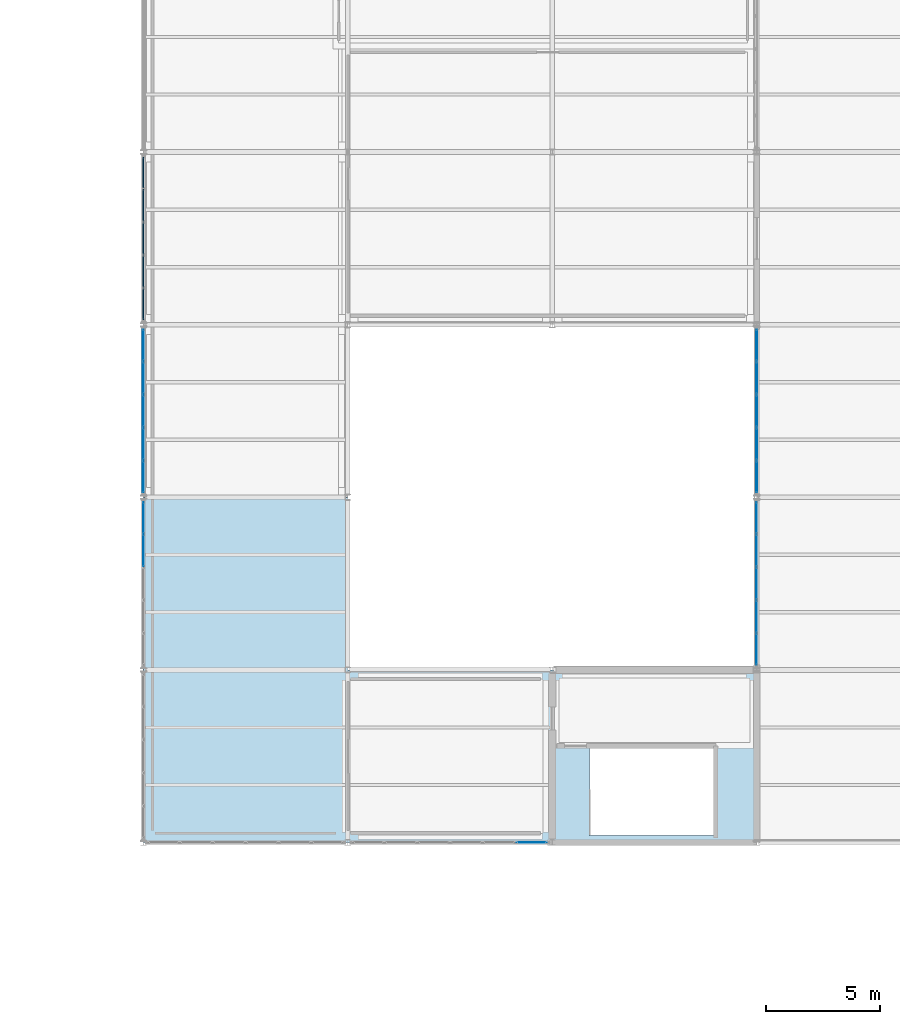
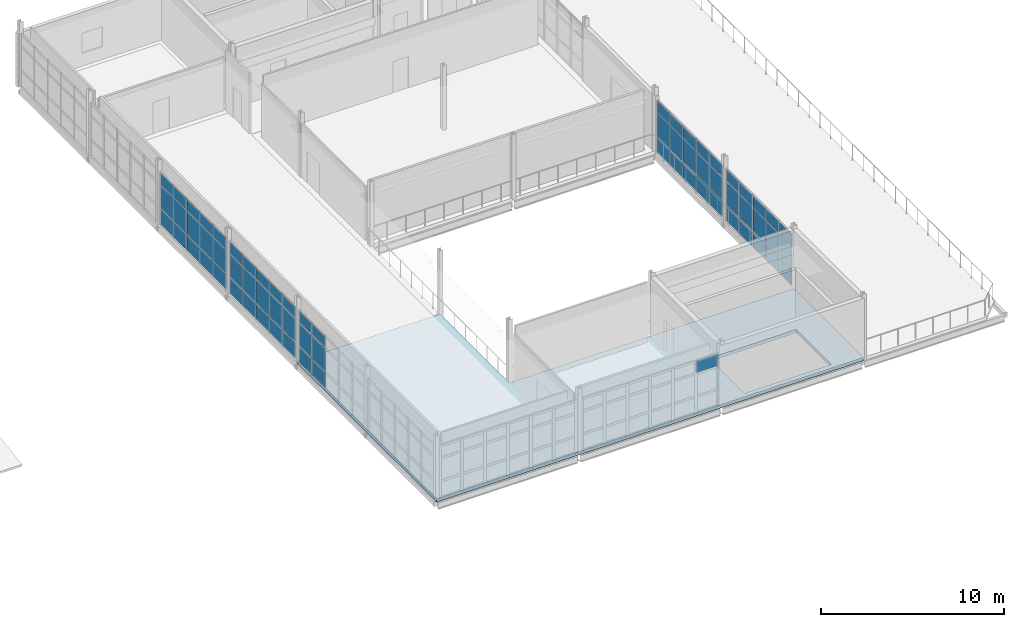
# One storey, part 35 of 48: 67 plates, 1 slab, 6 elements without a shape of their own.
"""IFC4 building model written with IfcOpenShell, lengths in metres."""

from ifc_helpers import new_model, si_unit, direction, frame, origin, origin_2d, place, context, subcontext, project, spatial, polyline, rectangle, outline, extrude, material, layer, layer_set, type_object, element, aggregate, save


model = new_model("IFC4")

# Units and contexts
model_context = context("Model", 3, precision=1e-05, world=origin(), true_north=direction((0.0, 1.0)))
body_context = subcontext(model_context, "Body", "Model", "MODEL_VIEW")
ifc_project = project(units=[si_unit("LENGTHUNIT", "METRE"), si_unit("AREAUNIT", "SQUARE_METRE"), si_unit("VOLUMEUNIT", "CUBIC_METRE"), si_unit("PLANEANGLEUNIT", "RADIAN"), si_unit("MASSUNIT", "GRAM", prefix="KILO")], contexts=[model_context])

# Site, building, storey
site_placement = place(None, origin())
site = spatial("IfcSite", under=ifc_project, at=site_placement, CompositionType="ELEMENT")
building_placement = place(site_placement, origin())
building = spatial("IfcBuilding", under=site, at=building_placement, Name="Caisbarro Railhouse Central Library", CompositionType="ELEMENT")
storey_placement = place(building_placement, frame((0.0, 0.0, 18.0)))
storey = spatial("IfcBuildingStorey", under=building, at=storey_placement, Name="L04", CompositionType="ELEMENT", Elevation=18.0)

# Curtain wall, plates
ifc_material_1 = material(Name="Anodised architectural aluminium", Category="aluminium")
curtain_wall_type_1 = type_object("IfcCurtainWallType", Name="CW-CW02", PredefinedType="NOTDEFINED", material=ifc_material_1)
curtain_wall_1_placement = place(storey_placement, origin())
curtain_wall_1 = element("IfcCurtainWall", 1, at=curtain_wall_1_placement, inside=storey, type_object=curtain_wall_type_1, Name="CW02 curtain wall L04 #156", PredefinedType="NOTDEFINED")
ifc_material_2 = material(Name="Double low-e laminated solar-control glass", Category="glass")
ifc_layer_1 = layer(ifc_material_2, 0.028076171875, Name="Double low-e laminated solar-control glass")
ifc_layer_set_1 = layer_set([ifc_layer_1], Name="Double low-e laminated solar-control glass")
plate_type_1 = type_object("IfcPlateType", Name="CWP-CP28", PredefinedType="CURTAIN_PANEL", material=ifc_layer_set_1)
plate_1_placement = place(storey_placement, frame((117.0, 81.256103515625, 0.0751953125), z_axis=(0.0, 0.0, 1.0), x_axis=(0.0, 1.0, 0.0)))
plate_1 = element("IfcPlate", 2, at=plate_1_placement, type_object=plate_type_1, Name="CW02 panel 4.1", PredefinedType="CURTAIN_PANEL", context=body_context, shape_type="SweptSolid", body=[
    extrude(rectangle(XDim=1.39111328125, YDim=0.028076171875, at=origin_2d()), origin(), (0.0, 0.0, 1.0), 1.007568359375),
])
plate_2_placement = place(storey_placement, frame((117.0, 81.256103515625, 1.15771484375), z_axis=(0.0, 0.0, 1.0), x_axis=(0.0, 1.0, 0.0)))
plate_2 = element("IfcPlate", 3, at=plate_2_placement, type_object=plate_type_1, Name="CW02 panel 4.2", PredefinedType="CURTAIN_PANEL", context=body_context, shape_type="SweptSolid", body=[
    extrude(rectangle(XDim=1.39111328125, YDim=0.028076171875, at=origin_2d()), origin(), (0.0, 0.0, 1.0), 1.514892578125),
])
plate_3_placement = place(storey_placement, frame((117.0, 81.256103515625, 2.74755859375), z_axis=(0.0, 0.0, 1.0), x_axis=(0.0, 1.0, 0.0)))
plate_3 = element("IfcPlate", 4, at=plate_3_placement, type_object=plate_type_1, Name="CW02 panel 4.3", PredefinedType="CURTAIN_PANEL", context=body_context, shape_type="SweptSolid", body=[
    extrude(rectangle(XDim=1.39111328125, YDim=0.028076171875, at=origin_2d()), origin(), (0.0, 0.0, 1.0), 0.737548828125),
])
plate_4_placement = place(storey_placement, frame((117.0, 82.69580078125, 0.0751953125), z_axis=(0.0, 0.0, 1.0), x_axis=(0.0, 1.0, 0.0)))
plate_4 = element("IfcPlate", 5, at=plate_4_placement, type_object=plate_type_1, Name="CW02 panel 5.1", PredefinedType="CURTAIN_PANEL", context=body_context, shape_type="SweptSolid", body=[
    extrude(rectangle(XDim=1.3583984375, YDim=0.028076171875, at=origin_2d()), origin(), (0.0, 0.0, 1.0), 1.007568359375),
])
plate_5_placement = place(storey_placement, frame((117.0, 82.69580078125, 1.15771484375), z_axis=(0.0, 0.0, 1.0), x_axis=(0.0, 1.0, 0.0)))
plate_5 = element("IfcPlate", 6, at=plate_5_placement, type_object=plate_type_1, Name="CW02 panel 5.2", PredefinedType="CURTAIN_PANEL", context=body_context, shape_type="SweptSolid", body=[
    extrude(rectangle(XDim=1.3583984375, YDim=0.028076171875, at=origin_2d()), origin(), (0.0, 0.0, 1.0), 1.514892578125),
])
plate_6_placement = place(storey_placement, frame((117.0, 82.69580078125, 2.74755859375), z_axis=(0.0, 0.0, 1.0), x_axis=(0.0, 1.0, 0.0)))
plate_6 = element("IfcPlate", 7, at=plate_6_placement, type_object=plate_type_1, Name="CW02 panel 5.3", PredefinedType="CURTAIN_PANEL", context=body_context, shape_type="SweptSolid", body=[
    extrude(rectangle(XDim=1.3583984375, YDim=0.028076171875, at=origin_2d()), origin(), (0.0, 0.0, 1.0), 0.737548828125),
])
aggregate(curtain_wall_1, [plate_1, plate_2, plate_3, plate_4, plate_5, plate_6])

# Curtain wall, plate
curtain_wall_2_placement = place(storey_placement, origin())
curtain_wall_2 = element("IfcCurtainWall", 8, at=curtain_wall_2_placement, inside=storey, type_object=curtain_wall_type_1, Name="CW02 curtain wall L04 #162", PredefinedType="NOTDEFINED")
plate_7_placement = place(storey_placement, frame((134.097900390625, 68.39990234375, 2.697265625), z_axis=(0.0, 0.0, 1.0), x_axis=(1.0, 0.0, 0.0)))
plate_7 = element("IfcPlate", 9, at=plate_7_placement, type_object=plate_type_1, Name="CW02 panel 6.3", PredefinedType="CURTAIN_PANEL", context=body_context, shape_type="SweptSolid", body=[
    extrude(rectangle(XDim=1.334228515625, YDim=0.028076171875, at=origin_2d()), origin(), (0.0, 0.0, 1.0), 0.737548828125),
])
aggregate(curtain_wall_2, [plate_7])

# Curtain wall, plates
curtain_wall_type_2 = type_object("IfcCurtainWallType", Name="CW-CW03", PredefinedType="NOTDEFINED", material=ifc_material_1)
curtain_wall_3_placement = place(storey_placement, origin())
curtain_wall_3 = element("IfcCurtainWall", 10, at=curtain_wall_3_placement, inside=storey, type_object=curtain_wall_type_2, Name="CW03 curtain wall L04 #163", PredefinedType="NOTDEFINED")
plate_8_placement = place(storey_placement, frame((144.0, 76.904296875, 0.06494140625), z_axis=(0.0, 0.0, 1.0), x_axis=(0.0, 1.0, 0.0)))
plate_8 = element("IfcPlate", 11, at=plate_8_placement, type_object=plate_type_1, Name="CW03 panel 1.1", PredefinedType="CURTAIN_PANEL", context=body_context, shape_type="SweptSolid", body=[
    extrude(rectangle(XDim=1.3583984375, YDim=0.028076171875, at=origin_2d()), origin(), (0.0, 0.0, 1.0), 1.0224609375),
])
plate_9_placement = place(storey_placement, frame((144.0, 76.904296875, 1.152587890625), z_axis=(0.0, 0.0, 1.0), x_axis=(0.0, 1.0, 0.0)))
plate_9 = element("IfcPlate", 12, at=plate_9_placement, type_object=plate_type_1, Name="CW03 panel 1.2", PredefinedType="CURTAIN_PANEL", context=body_context, shape_type="SweptSolid", body=[
    extrude(rectangle(XDim=1.3583984375, YDim=0.028076171875, at=origin_2d()), origin(), (0.0, 0.0, 1.0), 1.52490234375),
])
plate_10_placement = place(storey_placement, frame((144.0, 76.904296875, 2.742431640625), z_axis=(0.0, 0.0, 1.0), x_axis=(0.0, 1.0, 0.0)))
plate_10 = element("IfcPlate", 13, at=plate_10_placement, type_object=plate_type_1, Name="CW03 panel 1.3", PredefinedType="CURTAIN_PANEL", context=body_context, shape_type="SweptSolid", body=[
    extrude(rectangle(XDim=1.3583984375, YDim=0.028076171875, at=origin_2d()), origin(), (0.0, 0.0, 1.0), 0.75244140625),
])
plate_11_placement = place(storey_placement, frame((144.0, 78.343994140625, 0.06494140625), z_axis=(0.0, 0.0, 1.0), x_axis=(0.0, 1.0, 0.0)))
plate_11 = element("IfcPlate", 14, at=plate_11_placement, type_object=plate_type_1, Name="CW03 panel 2.1", PredefinedType="CURTAIN_PANEL", context=body_context, shape_type="SweptSolid", body=[
    extrude(rectangle(XDim=1.39111328125, YDim=0.028076171875, at=origin_2d()), origin(), (0.0, 0.0, 1.0), 1.0224609375),
])
plate_12_placement = place(storey_placement, frame((144.0, 78.343994140625, 1.152587890625), z_axis=(0.0, 0.0, 1.0), x_axis=(0.0, 1.0, 0.0)))
plate_12 = element("IfcPlate", 15, at=plate_12_placement, type_object=plate_type_1, Name="CW03 panel 2.2", PredefinedType="CURTAIN_PANEL", context=body_context, shape_type="SweptSolid", body=[
    extrude(rectangle(XDim=1.39111328125, YDim=0.028076171875, at=origin_2d()), origin(), (0.0, 0.0, 1.0), 1.52490234375),
])
plate_13_placement = place(storey_placement, frame((144.0, 78.343994140625, 2.742431640625), z_axis=(0.0, 0.0, 1.0), x_axis=(0.0, 1.0, 0.0)))
plate_13 = element("IfcPlate", 16, at=plate_13_placement, type_object=plate_type_1, Name="CW03 panel 2.3", PredefinedType="CURTAIN_PANEL", context=body_context, shape_type="SweptSolid", body=[
    extrude(rectangle(XDim=1.39111328125, YDim=0.028076171875, at=origin_2d()), origin(), (0.0, 0.0, 1.0), 0.75244140625),
])
plate_14_placement = place(storey_placement, frame((144.0, 79.800048828125, 0.06494140625), z_axis=(0.0, 0.0, 1.0), x_axis=(0.0, 1.0, 0.0)))
plate_14 = element("IfcPlate", 17, at=plate_14_placement, type_object=plate_type_1, Name="CW03 panel 3.1", PredefinedType="CURTAIN_PANEL", context=body_context, shape_type="SweptSolid", body=[
    extrude(rectangle(XDim=1.39111328125, YDim=0.028076171875, at=origin_2d()), origin(), (0.0, 0.0, 1.0), 1.0224609375),
])
plate_15_placement = place(storey_placement, frame((144.0, 79.800048828125, 1.152587890625), z_axis=(0.0, 0.0, 1.0), x_axis=(0.0, 1.0, 0.0)))
plate_15 = element("IfcPlate", 18, at=plate_15_placement, type_object=plate_type_1, Name="CW03 panel 3.2", PredefinedType="CURTAIN_PANEL", context=body_context, shape_type="SweptSolid", body=[
    extrude(rectangle(XDim=1.39111328125, YDim=0.028076171875, at=origin_2d()), origin(), (0.0, 0.0, 1.0), 1.52490234375),
])
plate_16_placement = place(storey_placement, frame((144.0, 79.800048828125, 2.742431640625), z_axis=(0.0, 0.0, 1.0), x_axis=(0.0, 1.0, 0.0)))
plate_16 = element("IfcPlate", 19, at=plate_16_placement, type_object=plate_type_1, Name="CW03 panel 3.3", PredefinedType="CURTAIN_PANEL", context=body_context, shape_type="SweptSolid", body=[
    extrude(rectangle(XDim=1.39111328125, YDim=0.028076171875, at=origin_2d()), origin(), (0.0, 0.0, 1.0), 0.75244140625),
])
plate_17_placement = place(storey_placement, frame((144.0, 81.256103515625, 0.06494140625), z_axis=(0.0, 0.0, 1.0), x_axis=(0.0, 1.0, 0.0)))
plate_17 = element("IfcPlate", 20, at=plate_17_placement, type_object=plate_type_1, Name="CW03 panel 4.1", PredefinedType="CURTAIN_PANEL", context=body_context, shape_type="SweptSolid", body=[
    extrude(rectangle(XDim=1.39111328125, YDim=0.028076171875, at=origin_2d()), origin(), (0.0, 0.0, 1.0), 1.0224609375),
])
plate_18_placement = place(storey_placement, frame((144.0, 81.256103515625, 1.152587890625), z_axis=(0.0, 0.0, 1.0), x_axis=(0.0, 1.0, 0.0)))
plate_18 = element("IfcPlate", 21, at=plate_18_placement, type_object=plate_type_1, Name="CW03 panel 4.2", PredefinedType="CURTAIN_PANEL", context=body_context, shape_type="SweptSolid", body=[
    extrude(rectangle(XDim=1.39111328125, YDim=0.028076171875, at=origin_2d()), origin(), (0.0, 0.0, 1.0), 1.52490234375),
])
plate_19_placement = place(storey_placement, frame((144.0, 81.256103515625, 2.742431640625), z_axis=(0.0, 0.0, 1.0), x_axis=(0.0, 1.0, 0.0)))
plate_19 = element("IfcPlate", 22, at=plate_19_placement, type_object=plate_type_1, Name="CW03 panel 4.3", PredefinedType="CURTAIN_PANEL", context=body_context, shape_type="SweptSolid", body=[
    extrude(rectangle(XDim=1.39111328125, YDim=0.028076171875, at=origin_2d()), origin(), (0.0, 0.0, 1.0), 0.75244140625),
])
plate_20_placement = place(storey_placement, frame((144.0, 82.69580078125, 0.06494140625), z_axis=(0.0, 0.0, 1.0), x_axis=(0.0, 1.0, 0.0)))
plate_20 = element("IfcPlate", 23, at=plate_20_placement, type_object=plate_type_1, Name="CW03 panel 5.1", PredefinedType="CURTAIN_PANEL", context=body_context, shape_type="SweptSolid", body=[
    extrude(rectangle(XDim=1.3583984375, YDim=0.028076171875, at=origin_2d()), origin(), (0.0, 0.0, 1.0), 1.0224609375),
])
plate_21_placement = place(storey_placement, frame((144.0, 82.69580078125, 1.152587890625), z_axis=(0.0, 0.0, 1.0), x_axis=(0.0, 1.0, 0.0)))
plate_21 = element("IfcPlate", 24, at=plate_21_placement, type_object=plate_type_1, Name="CW03 panel 5.2", PredefinedType="CURTAIN_PANEL", context=body_context, shape_type="SweptSolid", body=[
    extrude(rectangle(XDim=1.3583984375, YDim=0.028076171875, at=origin_2d()), origin(), (0.0, 0.0, 1.0), 1.52490234375),
])
plate_22_placement = place(storey_placement, frame((144.0, 82.69580078125, 2.742431640625), z_axis=(0.0, 0.0, 1.0), x_axis=(0.0, 1.0, 0.0)))
plate_22 = element("IfcPlate", 25, at=plate_22_placement, type_object=plate_type_1, Name="CW03 panel 5.3", PredefinedType="CURTAIN_PANEL", context=body_context, shape_type="SweptSolid", body=[
    extrude(rectangle(XDim=1.3583984375, YDim=0.028076171875, at=origin_2d()), origin(), (0.0, 0.0, 1.0), 0.75244140625),
])
aggregate(curtain_wall_3, [plate_8, plate_9, plate_10, plate_11, plate_12, plate_13, plate_14, plate_15, plate_16, plate_17, plate_18, plate_19, plate_20, plate_21, plate_22])

curtain_wall_4_placement = place(storey_placement, origin())
curtain_wall_4 = element("IfcCurtainWall", 26, at=curtain_wall_4_placement, inside=storey, type_object=curtain_wall_type_1, Name="CW02 curtain wall L04 #157", PredefinedType="NOTDEFINED")
ifc_layer_2 = layer(ifc_material_2, 0.0380859375, Name="Double low-e laminated solar-control glass")
ifc_layer_set_2 = layer_set([ifc_layer_2], Name="Double low-e laminated solar-control glass")
plate_type_2 = type_object("IfcPlateType", Name="CWP-CP38", PredefinedType="CURTAIN_PANEL", material=ifc_layer_set_2)
plate_23_placement = place(storey_placement, frame((117.0, 84.504150390625, 0.0751953125), z_axis=(0.0, 0.0, 1.0), x_axis=(0.0, 1.0, 0.0)))
plate_23 = element("IfcPlate", 27, at=plate_23_placement, type_object=plate_type_2, Name="CW02 panel 1.1", PredefinedType="CURTAIN_PANEL", context=body_context, shape_type="SweptSolid", body=[
    extrude(rectangle(XDim=1.3583984375, YDim=0.0380859375, at=origin_2d()), origin(), (0.0, 0.0, 1.0), 1.007568359375),
])
plate_24_placement = place(storey_placement, frame((117.0, 84.504150390625, 1.15771484375), z_axis=(0.0, 0.0, 1.0), x_axis=(0.0, 1.0, 0.0)))
plate_24 = element("IfcPlate", 28, at=plate_24_placement, type_object=plate_type_2, Name="CW02 panel 1.2", PredefinedType="CURTAIN_PANEL", context=body_context, shape_type="SweptSolid", body=[
    extrude(rectangle(XDim=1.3583984375, YDim=0.0380859375, at=origin_2d()), origin(), (0.0, 0.0, 1.0), 1.514892578125),
])
plate_25_placement = place(storey_placement, frame((117.0, 84.504150390625, 2.74755859375), z_axis=(0.0, 0.0, 1.0), x_axis=(0.0, 1.0, 0.0)))
plate_25 = element("IfcPlate", 29, at=plate_25_placement, type_object=plate_type_2, Name="CW02 panel 1.3", PredefinedType="CURTAIN_PANEL", context=body_context, shape_type="SweptSolid", body=[
    extrude(rectangle(XDim=1.3583984375, YDim=0.0380859375, at=origin_2d()), origin(), (0.0, 0.0, 1.0), 0.737548828125),
])
plate_26_placement = place(storey_placement, frame((117.0, 85.944091796875, 0.0751953125), z_axis=(0.0, 0.0, 1.0), x_axis=(0.0, 1.0, 0.0)))
plate_26 = element("IfcPlate", 30, at=plate_26_placement, type_object=plate_type_2, Name="CW02 panel 2.1", PredefinedType="CURTAIN_PANEL", context=body_context, shape_type="SweptSolid", body=[
    extrude(rectangle(XDim=1.39111328125, YDim=0.0380859375, at=origin_2d()), origin(), (0.0, 0.0, 1.0), 1.007568359375),
])
plate_27_placement = place(storey_placement, frame((117.0, 85.944091796875, 1.15771484375), z_axis=(0.0, 0.0, 1.0), x_axis=(0.0, 1.0, 0.0)))
plate_27 = element("IfcPlate", 31, at=plate_27_placement, type_object=plate_type_2, Name="CW02 panel 2.2", PredefinedType="CURTAIN_PANEL", context=body_context, shape_type="SweptSolid", body=[
    extrude(rectangle(XDim=1.39111328125, YDim=0.0380859375, at=origin_2d()), origin(), (0.0, 0.0, 1.0), 1.514892578125),
])
plate_28_placement = place(storey_placement, frame((117.0, 85.944091796875, 2.74755859375), z_axis=(0.0, 0.0, 1.0), x_axis=(0.0, 1.0, 0.0)))
plate_28 = element("IfcPlate", 32, at=plate_28_placement, type_object=plate_type_2, Name="CW02 panel 2.3", PredefinedType="CURTAIN_PANEL", context=body_context, shape_type="SweptSolid", body=[
    extrude(rectangle(XDim=1.39111328125, YDim=0.0380859375, at=origin_2d()), origin(), (0.0, 0.0, 1.0), 0.737548828125),
])
plate_29_placement = place(storey_placement, frame((117.0, 87.39990234375, 0.0751953125), z_axis=(0.0, 0.0, 1.0), x_axis=(0.0, 1.0, 0.0)))
plate_29 = element("IfcPlate", 33, at=plate_29_placement, type_object=plate_type_2, Name="CW02 panel 3.1", PredefinedType="CURTAIN_PANEL", context=body_context, shape_type="SweptSolid", body=[
    extrude(rectangle(XDim=1.39111328125, YDim=0.0380859375, at=origin_2d()), origin(), (0.0, 0.0, 1.0), 1.007568359375),
])
plate_30_placement = place(storey_placement, frame((117.0, 87.39990234375, 1.15771484375), z_axis=(0.0, 0.0, 1.0), x_axis=(0.0, 1.0, 0.0)))
plate_30 = element("IfcPlate", 34, at=plate_30_placement, type_object=plate_type_2, Name="CW02 panel 3.2", PredefinedType="CURTAIN_PANEL", context=body_context, shape_type="SweptSolid", body=[
    extrude(rectangle(XDim=1.39111328125, YDim=0.0380859375, at=origin_2d()), origin(), (0.0, 0.0, 1.0), 1.514892578125),
])
plate_31_placement = place(storey_placement, frame((117.0, 87.39990234375, 2.74755859375), z_axis=(0.0, 0.0, 1.0), x_axis=(0.0, 1.0, 0.0)))
plate_31 = element("IfcPlate", 35, at=plate_31_placement, type_object=plate_type_2, Name="CW02 panel 3.3", PredefinedType="CURTAIN_PANEL", context=body_context, shape_type="SweptSolid", body=[
    extrude(rectangle(XDim=1.39111328125, YDim=0.0380859375, at=origin_2d()), origin(), (0.0, 0.0, 1.0), 0.737548828125),
])
plate_32_placement = place(storey_placement, frame((117.0, 88.85595703125, 0.0751953125), z_axis=(0.0, 0.0, 1.0), x_axis=(0.0, 1.0, 0.0)))
plate_32 = element("IfcPlate", 36, at=plate_32_placement, type_object=plate_type_2, Name="CW02 panel 4.1", PredefinedType="CURTAIN_PANEL", context=body_context, shape_type="SweptSolid", body=[
    extrude(rectangle(XDim=1.39111328125, YDim=0.0380859375, at=origin_2d()), origin(), (0.0, 0.0, 1.0), 1.007568359375),
])
plate_33_placement = place(storey_placement, frame((117.0, 88.85595703125, 1.15771484375), z_axis=(0.0, 0.0, 1.0), x_axis=(0.0, 1.0, 0.0)))
plate_33 = element("IfcPlate", 37, at=plate_33_placement, type_object=plate_type_2, Name="CW02 panel 4.2", PredefinedType="CURTAIN_PANEL", context=body_context, shape_type="SweptSolid", body=[
    extrude(rectangle(XDim=1.39111328125, YDim=0.0380859375, at=origin_2d()), origin(), (0.0, 0.0, 1.0), 1.514892578125),
])
plate_34_placement = place(storey_placement, frame((117.0, 88.85595703125, 2.74755859375), z_axis=(0.0, 0.0, 1.0), x_axis=(0.0, 1.0, 0.0)))
plate_34 = element("IfcPlate", 38, at=plate_34_placement, type_object=plate_type_2, Name="CW02 panel 4.3", PredefinedType="CURTAIN_PANEL", context=body_context, shape_type="SweptSolid", body=[
    extrude(rectangle(XDim=1.39111328125, YDim=0.0380859375, at=origin_2d()), origin(), (0.0, 0.0, 1.0), 0.737548828125),
])
plate_35_placement = place(storey_placement, frame((117.0, 90.295654296875, 0.0751953125), z_axis=(0.0, 0.0, 1.0), x_axis=(0.0, 1.0, 0.0)))
plate_35 = element("IfcPlate", 39, at=plate_35_placement, type_object=plate_type_2, Name="CW02 panel 5.1", PredefinedType="CURTAIN_PANEL", context=body_context, shape_type="SweptSolid", body=[
    extrude(rectangle(XDim=1.3583984375, YDim=0.0380859375, at=origin_2d()), origin(), (0.0, 0.0, 1.0), 1.007568359375),
])
plate_36_placement = place(storey_placement, frame((117.0, 90.295654296875, 1.15771484375), z_axis=(0.0, 0.0, 1.0), x_axis=(0.0, 1.0, 0.0)))
plate_36 = element("IfcPlate", 40, at=plate_36_placement, type_object=plate_type_2, Name="CW02 panel 5.2", PredefinedType="CURTAIN_PANEL", context=body_context, shape_type="SweptSolid", body=[
    extrude(rectangle(XDim=1.3583984375, YDim=0.0380859375, at=origin_2d()), origin(), (0.0, 0.0, 1.0), 1.514892578125),
])
plate_37_placement = place(storey_placement, frame((117.0, 90.295654296875, 2.74755859375), z_axis=(0.0, 0.0, 1.0), x_axis=(0.0, 1.0, 0.0)))
plate_37 = element("IfcPlate", 41, at=plate_37_placement, type_object=plate_type_2, Name="CW02 panel 5.3", PredefinedType="CURTAIN_PANEL", context=body_context, shape_type="SweptSolid", body=[
    extrude(rectangle(XDim=1.3583984375, YDim=0.0380859375, at=origin_2d()), origin(), (0.0, 0.0, 1.0), 0.737548828125),
])
aggregate(curtain_wall_4, [plate_23, plate_24, plate_25, plate_26, plate_27, plate_28, plate_29, plate_30, plate_31, plate_32, plate_33, plate_34, plate_35, plate_36, plate_37])

curtain_wall_5_placement = place(storey_placement, origin())
curtain_wall_5 = element("IfcCurtainWall", 42, at=curtain_wall_5_placement, inside=storey, type_object=curtain_wall_type_2, Name="CW03 curtain wall L04 #164", PredefinedType="NOTDEFINED")
plate_38_placement = place(storey_placement, frame((144.0, 84.504150390625, 0.06494140625), z_axis=(0.0, 0.0, 1.0), x_axis=(0.0, 1.0, 0.0)))
plate_38 = element("IfcPlate", 43, at=plate_38_placement, type_object=plate_type_2, Name="CW03 panel 1.1", PredefinedType="CURTAIN_PANEL", context=body_context, shape_type="SweptSolid", body=[
    extrude(rectangle(XDim=1.3583984375, YDim=0.0380859375, at=origin_2d()), origin(), (0.0, 0.0, 1.0), 1.0224609375),
])
plate_39_placement = place(storey_placement, frame((144.0, 84.504150390625, 1.152587890625), z_axis=(0.0, 0.0, 1.0), x_axis=(0.0, 1.0, 0.0)))
plate_39 = element("IfcPlate", 44, at=plate_39_placement, type_object=plate_type_2, Name="CW03 panel 1.2", PredefinedType="CURTAIN_PANEL", context=body_context, shape_type="SweptSolid", body=[
    extrude(rectangle(XDim=1.3583984375, YDim=0.0380859375, at=origin_2d()), origin(), (0.0, 0.0, 1.0), 1.52490234375),
])
plate_40_placement = place(storey_placement, frame((144.0, 84.504150390625, 2.742431640625), z_axis=(0.0, 0.0, 1.0), x_axis=(0.0, 1.0, 0.0)))
plate_40 = element("IfcPlate", 45, at=plate_40_placement, type_object=plate_type_2, Name="CW03 panel 1.3", PredefinedType="CURTAIN_PANEL", context=body_context, shape_type="SweptSolid", body=[
    extrude(rectangle(XDim=1.3583984375, YDim=0.0380859375, at=origin_2d()), origin(), (0.0, 0.0, 1.0), 0.75244140625),
])
plate_41_placement = place(storey_placement, frame((144.0, 85.944091796875, 0.06494140625), z_axis=(0.0, 0.0, 1.0), x_axis=(0.0, 1.0, 0.0)))
plate_41 = element("IfcPlate", 46, at=plate_41_placement, type_object=plate_type_2, Name="CW03 panel 2.1", PredefinedType="CURTAIN_PANEL", context=body_context, shape_type="SweptSolid", body=[
    extrude(rectangle(XDim=1.39111328125, YDim=0.0380859375, at=origin_2d()), origin(), (0.0, 0.0, 1.0), 1.0224609375),
])
plate_42_placement = place(storey_placement, frame((144.0, 85.944091796875, 1.152587890625), z_axis=(0.0, 0.0, 1.0), x_axis=(0.0, 1.0, 0.0)))
plate_42 = element("IfcPlate", 47, at=plate_42_placement, type_object=plate_type_2, Name="CW03 panel 2.2", PredefinedType="CURTAIN_PANEL", context=body_context, shape_type="SweptSolid", body=[
    extrude(rectangle(XDim=1.39111328125, YDim=0.0380859375, at=origin_2d()), origin(), (0.0, 0.0, 1.0), 1.52490234375),
])
plate_43_placement = place(storey_placement, frame((144.0, 85.944091796875, 2.742431640625), z_axis=(0.0, 0.0, 1.0), x_axis=(0.0, 1.0, 0.0)))
plate_43 = element("IfcPlate", 48, at=plate_43_placement, type_object=plate_type_2, Name="CW03 panel 2.3", PredefinedType="CURTAIN_PANEL", context=body_context, shape_type="SweptSolid", body=[
    extrude(rectangle(XDim=1.39111328125, YDim=0.0380859375, at=origin_2d()), origin(), (0.0, 0.0, 1.0), 0.75244140625),
])
plate_44_placement = place(storey_placement, frame((144.0, 87.39990234375, 0.06494140625), z_axis=(0.0, 0.0, 1.0), x_axis=(0.0, 1.0, 0.0)))
plate_44 = element("IfcPlate", 49, at=plate_44_placement, type_object=plate_type_2, Name="CW03 panel 3.1", PredefinedType="CURTAIN_PANEL", context=body_context, shape_type="SweptSolid", body=[
    extrude(rectangle(XDim=1.39111328125, YDim=0.0380859375, at=origin_2d()), origin(), (0.0, 0.0, 1.0), 1.0224609375),
])
plate_45_placement = place(storey_placement, frame((144.0, 87.39990234375, 1.152587890625), z_axis=(0.0, 0.0, 1.0), x_axis=(0.0, 1.0, 0.0)))
plate_45 = element("IfcPlate", 50, at=plate_45_placement, type_object=plate_type_2, Name="CW03 panel 3.2", PredefinedType="CURTAIN_PANEL", context=body_context, shape_type="SweptSolid", body=[
    extrude(rectangle(XDim=1.39111328125, YDim=0.0380859375, at=origin_2d()), origin(), (0.0, 0.0, 1.0), 1.52490234375),
])
plate_46_placement = place(storey_placement, frame((144.0, 87.39990234375, 2.742431640625), z_axis=(0.0, 0.0, 1.0), x_axis=(0.0, 1.0, 0.0)))
plate_46 = element("IfcPlate", 51, at=plate_46_placement, type_object=plate_type_2, Name="CW03 panel 3.3", PredefinedType="CURTAIN_PANEL", context=body_context, shape_type="SweptSolid", body=[
    extrude(rectangle(XDim=1.39111328125, YDim=0.0380859375, at=origin_2d()), origin(), (0.0, 0.0, 1.0), 0.75244140625),
])
plate_47_placement = place(storey_placement, frame((144.0, 88.85595703125, 0.06494140625), z_axis=(0.0, 0.0, 1.0), x_axis=(0.0, 1.0, 0.0)))
plate_47 = element("IfcPlate", 52, at=plate_47_placement, type_object=plate_type_2, Name="CW03 panel 4.1", PredefinedType="CURTAIN_PANEL", context=body_context, shape_type="SweptSolid", body=[
    extrude(rectangle(XDim=1.39111328125, YDim=0.0380859375, at=origin_2d()), origin(), (0.0, 0.0, 1.0), 1.0224609375),
])
plate_48_placement = place(storey_placement, frame((144.0, 88.85595703125, 1.152587890625), z_axis=(0.0, 0.0, 1.0), x_axis=(0.0, 1.0, 0.0)))
plate_48 = element("IfcPlate", 53, at=plate_48_placement, type_object=plate_type_2, Name="CW03 panel 4.2", PredefinedType="CURTAIN_PANEL", context=body_context, shape_type="SweptSolid", body=[
    extrude(rectangle(XDim=1.39111328125, YDim=0.0380859375, at=origin_2d()), origin(), (0.0, 0.0, 1.0), 1.52490234375),
])
plate_49_placement = place(storey_placement, frame((144.0, 88.85595703125, 2.742431640625), z_axis=(0.0, 0.0, 1.0), x_axis=(0.0, 1.0, 0.0)))
plate_49 = element("IfcPlate", 54, at=plate_49_placement, type_object=plate_type_2, Name="CW03 panel 4.3", PredefinedType="CURTAIN_PANEL", context=body_context, shape_type="SweptSolid", body=[
    extrude(rectangle(XDim=1.39111328125, YDim=0.0380859375, at=origin_2d()), origin(), (0.0, 0.0, 1.0), 0.75244140625),
])
plate_50_placement = place(storey_placement, frame((144.0, 90.295654296875, 0.06494140625), z_axis=(0.0, 0.0, 1.0), x_axis=(0.0, 1.0, 0.0)))
plate_50 = element("IfcPlate", 55, at=plate_50_placement, type_object=plate_type_2, Name="CW03 panel 5.1", PredefinedType="CURTAIN_PANEL", context=body_context, shape_type="SweptSolid", body=[
    extrude(rectangle(XDim=1.3583984375, YDim=0.0380859375, at=origin_2d()), origin(), (0.0, 0.0, 1.0), 1.0224609375),
])
plate_51_placement = place(storey_placement, frame((144.0, 90.295654296875, 1.152587890625), z_axis=(0.0, 0.0, 1.0), x_axis=(0.0, 1.0, 0.0)))
plate_51 = element("IfcPlate", 56, at=plate_51_placement, type_object=plate_type_2, Name="CW03 panel 5.2", PredefinedType="CURTAIN_PANEL", context=body_context, shape_type="SweptSolid", body=[
    extrude(rectangle(XDim=1.3583984375, YDim=0.0380859375, at=origin_2d()), origin(), (0.0, 0.0, 1.0), 1.52490234375),
])
plate_52_placement = place(storey_placement, frame((144.0, 90.295654296875, 2.742431640625), z_axis=(0.0, 0.0, 1.0), x_axis=(0.0, 1.0, 0.0)))
plate_52 = element("IfcPlate", 57, at=plate_52_placement, type_object=plate_type_2, Name="CW03 panel 5.3", PredefinedType="CURTAIN_PANEL", context=body_context, shape_type="SweptSolid", body=[
    extrude(rectangle(XDim=1.3583984375, YDim=0.0380859375, at=origin_2d()), origin(), (0.0, 0.0, 1.0), 0.75244140625),
])
aggregate(curtain_wall_5, [plate_38, plate_39, plate_40, plate_41, plate_42, plate_43, plate_44, plate_45, plate_46, plate_47, plate_48, plate_49, plate_50, plate_51, plate_52])

curtain_wall_6_placement = place(storey_placement, origin())
curtain_wall_6 = element("IfcCurtainWall", 58, at=curtain_wall_6_placement, inside=storey, type_object=curtain_wall_type_1, Name="CW02 curtain wall L04 #158", PredefinedType="NOTDEFINED")
ifc_layer_3 = layer(ifc_material_2, 0.048095703125, Name="Double low-e laminated solar-control glass")
ifc_layer_set_3 = layer_set([ifc_layer_3], Name="Double low-e laminated solar-control glass")
plate_type_3 = type_object("IfcPlateType", Name="CWP-CP48", PredefinedType="CURTAIN_PANEL", material=ifc_layer_set_3)
plate_53_placement = place(storey_placement, frame((117.0, 92.104248046875, 0.0751953125), z_axis=(0.0, 0.0, 1.0), x_axis=(0.0, 1.0, 0.0)))
plate_53 = element("IfcPlate", 59, at=plate_53_placement, type_object=plate_type_3, Name="CW02 panel 1.1", PredefinedType="CURTAIN_PANEL", context=body_context, shape_type="SweptSolid", body=[
    extrude(rectangle(XDim=1.3583984375, YDim=0.048095703125, at=origin_2d()), origin(), (0.0, 0.0, 1.0), 1.007568359375),
])
plate_54_placement = place(storey_placement, frame((117.0, 92.104248046875, 1.15771484375), z_axis=(0.0, 0.0, 1.0), x_axis=(0.0, 1.0, 0.0)))
plate_54 = element("IfcPlate", 60, at=plate_54_placement, type_object=plate_type_3, Name="CW02 panel 1.2", PredefinedType="CURTAIN_PANEL", context=body_context, shape_type="SweptSolid", body=[
    extrude(rectangle(XDim=1.3583984375, YDim=0.048095703125, at=origin_2d()), origin(), (0.0, 0.0, 1.0), 1.514892578125),
])
plate_55_placement = place(storey_placement, frame((117.0, 92.104248046875, 2.74755859375), z_axis=(0.0, 0.0, 1.0), x_axis=(0.0, 1.0, 0.0)))
plate_55 = element("IfcPlate", 61, at=plate_55_placement, type_object=plate_type_3, Name="CW02 panel 1.3", PredefinedType="CURTAIN_PANEL", context=body_context, shape_type="SweptSolid", body=[
    extrude(rectangle(XDim=1.3583984375, YDim=0.048095703125, at=origin_2d()), origin(), (0.0, 0.0, 1.0), 0.737548828125),
])
plate_56_placement = place(storey_placement, frame((117.0, 93.5439453125, 0.0751953125), z_axis=(0.0, 0.0, 1.0), x_axis=(0.0, 1.0, 0.0)))
plate_56 = element("IfcPlate", 62, at=plate_56_placement, type_object=plate_type_3, Name="CW02 panel 2.1", PredefinedType="CURTAIN_PANEL", context=body_context, shape_type="SweptSolid", body=[
    extrude(rectangle(XDim=1.39111328125, YDim=0.048095703125, at=origin_2d()), origin(), (0.0, 0.0, 1.0), 1.007568359375),
])
plate_57_placement = place(storey_placement, frame((117.0, 93.5439453125, 1.15771484375), z_axis=(0.0, 0.0, 1.0), x_axis=(0.0, 1.0, 0.0)))
plate_57 = element("IfcPlate", 63, at=plate_57_placement, type_object=plate_type_3, Name="CW02 panel 2.2", PredefinedType="CURTAIN_PANEL", context=body_context, shape_type="SweptSolid", body=[
    extrude(rectangle(XDim=1.39111328125, YDim=0.048095703125, at=origin_2d()), origin(), (0.0, 0.0, 1.0), 1.514892578125),
])
plate_58_placement = place(storey_placement, frame((117.0, 93.5439453125, 2.74755859375), z_axis=(0.0, 0.0, 1.0), x_axis=(0.0, 1.0, 0.0)))
plate_58 = element("IfcPlate", 64, at=plate_58_placement, type_object=plate_type_3, Name="CW02 panel 2.3", PredefinedType="CURTAIN_PANEL", context=body_context, shape_type="SweptSolid", body=[
    extrude(rectangle(XDim=1.39111328125, YDim=0.048095703125, at=origin_2d()), origin(), (0.0, 0.0, 1.0), 0.737548828125),
])
plate_59_placement = place(storey_placement, frame((117.0, 95.0, 0.0751953125), z_axis=(0.0, 0.0, 1.0), x_axis=(0.0, 1.0, 0.0)))
plate_59 = element("IfcPlate", 65, at=plate_59_placement, type_object=plate_type_3, Name="CW02 panel 3.1", PredefinedType="CURTAIN_PANEL", context=body_context, shape_type="SweptSolid", body=[
    extrude(rectangle(XDim=1.39111328125, YDim=0.048095703125, at=origin_2d()), origin(), (0.0, 0.0, 1.0), 1.007568359375),
])
plate_60_placement = place(storey_placement, frame((117.0, 95.0, 1.15771484375), z_axis=(0.0, 0.0, 1.0), x_axis=(0.0, 1.0, 0.0)))
plate_60 = element("IfcPlate", 66, at=plate_60_placement, type_object=plate_type_3, Name="CW02 panel 3.2", PredefinedType="CURTAIN_PANEL", context=body_context, shape_type="SweptSolid", body=[
    extrude(rectangle(XDim=1.39111328125, YDim=0.048095703125, at=origin_2d()), origin(), (0.0, 0.0, 1.0), 1.514892578125),
])
plate_61_placement = place(storey_placement, frame((117.0, 95.0, 2.74755859375), z_axis=(0.0, 0.0, 1.0), x_axis=(0.0, 1.0, 0.0)))
plate_61 = element("IfcPlate", 67, at=plate_61_placement, type_object=plate_type_3, Name="CW02 panel 3.3", PredefinedType="CURTAIN_PANEL", context=body_context, shape_type="SweptSolid", body=[
    extrude(rectangle(XDim=1.39111328125, YDim=0.048095703125, at=origin_2d()), origin(), (0.0, 0.0, 1.0), 0.737548828125),
])
plate_62_placement = place(storey_placement, frame((117.0, 96.4560546875, 0.0751953125), z_axis=(0.0, 0.0, 1.0), x_axis=(0.0, 1.0, 0.0)))
plate_62 = element("IfcPlate", 68, at=plate_62_placement, type_object=plate_type_3, Name="CW02 panel 4.1", PredefinedType="CURTAIN_PANEL", context=body_context, shape_type="SweptSolid", body=[
    extrude(rectangle(XDim=1.39111328125, YDim=0.048095703125, at=origin_2d()), origin(), (0.0, 0.0, 1.0), 1.007568359375),
])
plate_63_placement = place(storey_placement, frame((117.0, 96.4560546875, 1.15771484375), z_axis=(0.0, 0.0, 1.0), x_axis=(0.0, 1.0, 0.0)))
plate_63 = element("IfcPlate", 69, at=plate_63_placement, type_object=plate_type_3, Name="CW02 panel 4.2", PredefinedType="CURTAIN_PANEL", context=body_context, shape_type="SweptSolid", body=[
    extrude(rectangle(XDim=1.39111328125, YDim=0.048095703125, at=origin_2d()), origin(), (0.0, 0.0, 1.0), 1.514892578125),
])
plate_64_placement = place(storey_placement, frame((117.0, 96.4560546875, 2.74755859375), z_axis=(0.0, 0.0, 1.0), x_axis=(0.0, 1.0, 0.0)))
plate_64 = element("IfcPlate", 70, at=plate_64_placement, type_object=plate_type_3, Name="CW02 panel 4.3", PredefinedType="CURTAIN_PANEL", context=body_context, shape_type="SweptSolid", body=[
    extrude(rectangle(XDim=1.39111328125, YDim=0.048095703125, at=origin_2d()), origin(), (0.0, 0.0, 1.0), 0.737548828125),
])
plate_65_placement = place(storey_placement, frame((117.0, 97.895751953125, 0.0751953125), z_axis=(0.0, 0.0, 1.0), x_axis=(0.0, 1.0, 0.0)))
plate_65 = element("IfcPlate", 71, at=plate_65_placement, type_object=plate_type_3, Name="CW02 panel 5.1", PredefinedType="CURTAIN_PANEL", context=body_context, shape_type="SweptSolid", body=[
    extrude(rectangle(XDim=1.3583984375, YDim=0.048095703125, at=origin_2d()), origin(), (0.0, 0.0, 1.0), 1.007568359375),
])
plate_66_placement = place(storey_placement, frame((117.0, 97.895751953125, 1.15771484375), z_axis=(0.0, 0.0, 1.0), x_axis=(0.0, 1.0, 0.0)))
plate_66 = element("IfcPlate", 72, at=plate_66_placement, type_object=plate_type_3, Name="CW02 panel 5.2", PredefinedType="CURTAIN_PANEL", context=body_context, shape_type="SweptSolid", body=[
    extrude(rectangle(XDim=1.3583984375, YDim=0.048095703125, at=origin_2d()), origin(), (0.0, 0.0, 1.0), 1.514892578125),
])
plate_67_placement = place(storey_placement, frame((117.0, 97.895751953125, 2.74755859375), z_axis=(0.0, 0.0, 1.0), x_axis=(0.0, 1.0, 0.0)))
plate_67 = element("IfcPlate", 73, at=plate_67_placement, type_object=plate_type_3, Name="CW02 panel 5.3", PredefinedType="CURTAIN_PANEL", context=body_context, shape_type="SweptSolid", body=[
    extrude(rectangle(XDim=1.3583984375, YDim=0.048095703125, at=origin_2d()), origin(), (0.0, 0.0, 1.0), 0.737548828125),
])
aggregate(curtain_wall_6, [plate_53, plate_54, plate_55, plate_56, plate_57, plate_58, plate_59, plate_60, plate_61, plate_62, plate_63, plate_64, plate_65, plate_66, plate_67])

# Slab
ifc_material_3 = material(Name="Concrete C35", Category="concrete")
ifc_layer_4 = layer(ifc_material_3, 0.219970703125, Name="Concrete C35")
ifc_layer_set_4 = layer_set([ifc_layer_4], Name="Concrete C35")
slab_type = type_object("IfcSlabType", Name="SLB-FL22", PredefinedType="FLOOR", material=ifc_layer_set_4)
slab_placement = place(storey_placement, frame((0.0, 0.0, -0.219970703125)))
element("IfcSlab", 74, at=slab_placement, inside=storey, type_object=slab_type, Name="SF22 structural slab L04 V4.1", PredefinedType="FLOOR", context=body_context, shape_type="SweptSolid", body=[
    extrude(outline(polyline([(117.0, 68.39990234375), (144.0, 68.39990234375), (144.0, 83.60009765625), (144.0, 83.60009765625), (144.0, 76.0), (126.0, 76.0), (126.0, 83.60009765625), (117.0, 83.60009765625), (117.0, 68.39990234375)]), holes=[polyline([(136.64990234375, 68.699951171875), (142.14990234375, 68.699951171875), (142.14990234375, 72.550048828125), (136.64990234375, 72.550048828125), (136.64990234375, 68.699951171875)])]), origin(), (0.0, 0.0, 1.0), 0.219970703125),
])

save(model, "model.ifc")
